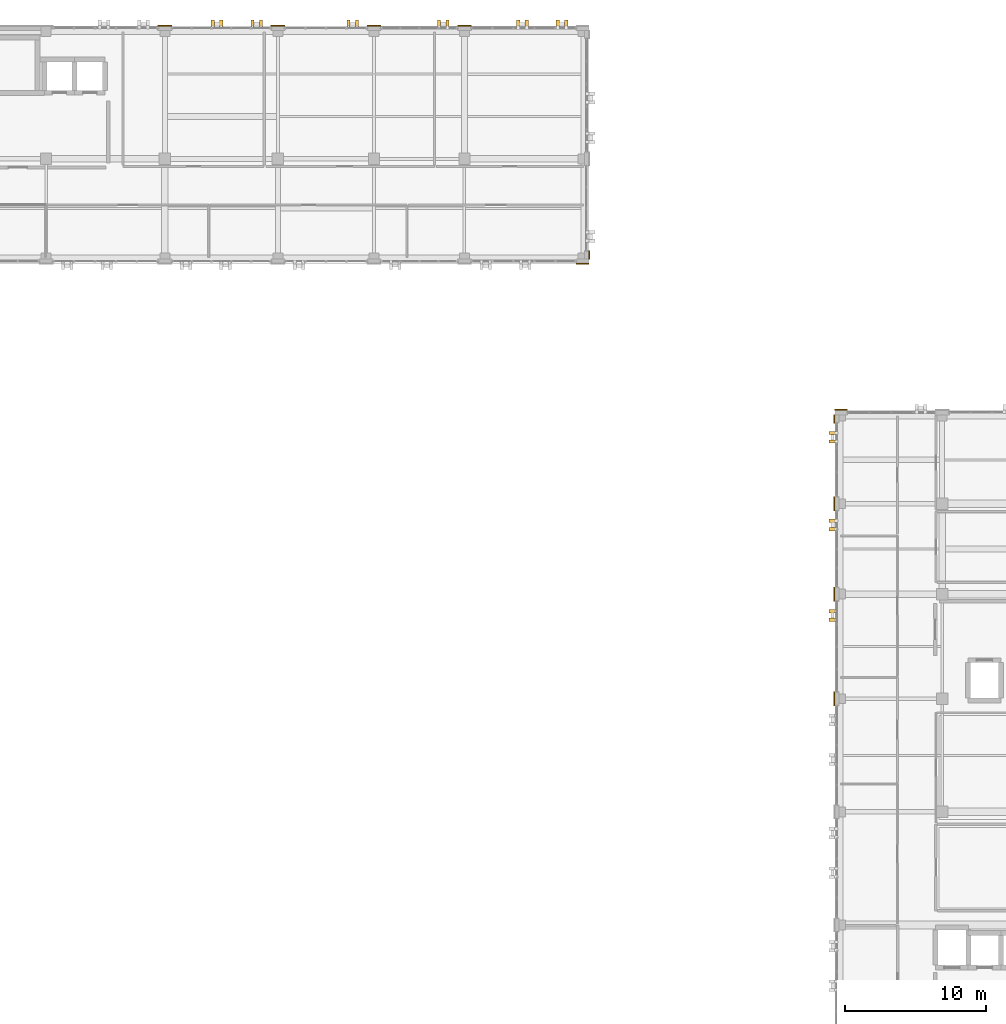
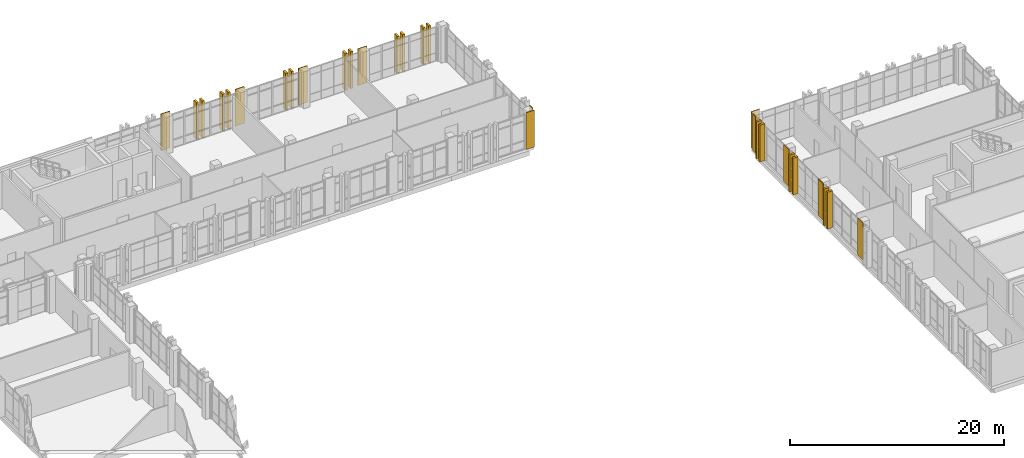
# One storey, part 185 of 193: 29 coverings.
"""IFC4 building model written with IfcOpenShell, lengths in metres."""

from ifc_helpers import new_model, si_unit, direction, frame, origin, origin_2d, place, context, subcontext, project, spatial, rectangle, extrude, material, layer, layer_set, type_object, element, save


model = new_model("IFC4")

# Units and contexts
model_context = context("Model", 3, precision=1e-05, world=origin(), true_north=direction((0.0, 1.0)))
body_context = subcontext(model_context, "Body", "Model", "MODEL_VIEW")
ifc_project = project(units=[si_unit("LENGTHUNIT", "METRE"), si_unit("AREAUNIT", "SQUARE_METRE"), si_unit("VOLUMEUNIT", "CUBIC_METRE"), si_unit("PLANEANGLEUNIT", "RADIAN"), si_unit("MASSUNIT", "GRAM", prefix="KILO")], contexts=[model_context])

# Site, building, storey
site_placement = place(None, origin())
site = spatial("IfcSite", under=ifc_project, at=site_placement, CompositionType="ELEMENT")
building_placement = place(site_placement, origin())
building = spatial("IfcBuilding", under=site, at=building_placement, Name="Qalavern Law Courts", CompositionType="ELEMENT")
storey_placement = place(building_placement, frame((0.0, 0.0, 10.199951171875)))
storey = spatial("IfcBuildingStorey", under=building, at=storey_placement, Name="L02", CompositionType="ELEMENT", Elevation=10.199951171875)

# Coverings
ifc_material = material(Name="Precast concrete C40/50", Category="concrete")
ifc_layer_1 = layer(ifc_material, 0.22998046875)
ifc_layer_set_1 = layer_set([ifc_layer_1], Name="Precast concrete C40/50")
covering_type_1 = type_object("IfcCoveringType", Name="ENV-BLD-2", PredefinedType="CLADDING", material=ifc_layer_set_1)
for number, where, z_axis, x_axis, name in (
    (1, (84.044921875, 84.199951171875, 0.005126953125), (0.0, 0.0, 1.0), (-1.0, 0.0, 0.0), "Absheron stone facade blade 0605"),
    (2, (84.044921875, 83.60009765625, 0.005126953125), (0.0, 0.0, 1.0), (-1.0, 0.0, 0.0), "Absheron stone facade blade 0606"),
    (3, (84.044921875, 78.0, 0.005126953125), (0.0, 0.0, 1.0), (-1.0, 0.0, 0.0), "Absheron stone facade blade 0607"),
    (4, (84.044921875, 77.39990234375, 0.005126953125), (0.0, 0.0, 1.0), (-1.0, 0.0, 0.0), "Absheron stone facade blade 0608"),
    (5, (84.044921875, 71.60009765625, 0.005126953125), (0.0, 0.0, 1.0), (-1.0, 0.0, 0.0), "Absheron stone facade blade 0609"),
    (6, (84.044921875, 71.0, 0.005126953125), (0.0, 0.0, 1.0), (-1.0, 0.0, 0.0), "Absheron stone facade blade 0610"),
    (7, (65.199951171875, 113.155029296875, 0.005126953125), (0.0, 0.0, 1.0), (0.0, 1.0, 0.0), "Absheron stone facade blade 0979"),
    (8, (64.60009765625, 113.155029296875, 0.005126953125), (0.0, 0.0, 1.0), (0.0, 1.0, 0.0), "Absheron stone facade blade 0980"),
    (9, (62.39990234375, 113.155029296875, 0.005126953125), (0.0, 0.0, 1.0), (0.0, 1.0, 0.0), "Absheron stone facade blade 0981"),
    (10, (61.800048828125, 113.155029296875, 0.005126953125), (0.0, 0.0, 1.0), (0.0, 1.0, 0.0), "Absheron stone facade blade 0982"),
    (11, (56.800048828125, 113.155029296875, 0.005126953125), (0.0, 0.0, 1.0), (0.0, 1.0, 0.0), "Absheron stone facade blade 0983"),
    (12, (56.199951171875, 113.155029296875, 0.005126953125), (0.0, 0.0, 1.0), (0.0, 1.0, 0.0), "Absheron stone facade blade 0984"),
    (13, (50.39990234375, 113.155029296875, 0.005126953125), (0.0, 0.0, 1.0), (0.0, 1.0, 0.0), "Absheron stone facade blade 0985"),
    (14, (49.800048828125, 113.155029296875, 0.005126953125), (0.0, 0.0, 1.0), (0.0, 1.0, 0.0), "Absheron stone facade blade 0986"),
    (15, (43.60009765625, 113.155029296875, 0.005126953125), (0.0, 0.0, 1.0), (0.0, 1.0, 0.0), "Absheron stone facade blade 0987"),
    (16, (43.0, 113.155029296875, 0.005126953125), (0.0, 0.0, 1.0), (0.0, 1.0, 0.0), "Absheron stone facade blade 0988"),
    (17, (40.800048828125, 113.155029296875, 0.005126953125), (0.0, 0.0, 1.0), (0.0, 1.0, 0.0), "Absheron stone facade blade 0989"),
    (18, (40.199951171875, 113.155029296875, 0.005126953125), (0.0, 0.0, 1.0), (0.0, 1.0, 0.0), "Absheron stone facade blade 0990"),
):
    element("IfcCovering", number, at=place(storey_placement, frame(where, z_axis=z_axis, x_axis=x_axis)), inside=storey, type_object=covering_type_1, Name=name, PredefinedType="CLADDING", context=body_context, shape_type="SweptSolid", body=[
        extrude(rectangle(XDim=0.5400390625, YDim=0.22998046875, at=origin_2d()), origin(), (0.0, 0.0, 1.0), 4.18994140625),
    ])
ifc_layer_2 = layer(ifc_material, 0.072021484375)
ifc_layer_set_2 = layer_set([ifc_layer_2], Name="Precast concrete C40/50")
covering_type_2 = type_object("IfcCoveringType", Name="ENV-CLD-2", PredefinedType="CLADDING", material=ifc_layer_set_2)
covering_1_placement = place(storey_placement, frame((84.64990234375, 85.8330078125, 0.01025390625), z_axis=(0.0, 0.0, 1.0), x_axis=(-1.0, 0.0, 0.0)))
element("IfcCovering", 19, at=covering_1_placement, inside=storey, type_object=covering_type_2, Name="V4 Absheron limestone pier facing L02 north 3", PredefinedType="CLADDING", context=body_context, shape_type="SweptSolid", body=[
    extrude(rectangle(XDim=0.8798828125, YDim=0.072021484375, at=origin_2d()), origin(), (0.0, 0.0, 1.0), 4.179931640625),
])
covering_2_placement = place(storey_placement, frame((84.1669921875, 85.197509765625, 0.01025390625), z_axis=(0.0, 0.0, 1.0), x_axis=(0.0, -1.0, 0.0)))
element("IfcCovering", 20, at=covering_2_placement, inside=storey, type_object=covering_type_2, Name="V4 Absheron limestone pier facing L02 west 1", PredefinedType="CLADDING", context=body_context, shape_type="SweptSolid", body=[
    extrude(rectangle(XDim=0.574951171875, YDim=0.072021484375, at=origin_2d()), origin(), (0.0, 0.0, 1.0), 4.179931640625),
])
for number, where, z_axis, x_axis, name in (
    (21, (84.1669921875, 79.199951171875, 0.01025390625), (0.0, 0.0, 1.0), (0.0, -1.0, 0.0), "V4 Absheron limestone pier facing L02 west 2"),
    (22, (84.1669921875, 72.800048828125, 0.01025390625), (0.0, 0.0, 1.0), (0.0, -1.0, 0.0), "V4 Absheron limestone pier facing L02 west 3"),
    (23, (84.1669921875, 65.39990234375, 0.01025390625), (0.0, 0.0, 1.0), (0.0, -1.0, 0.0), "V4 Absheron limestone pier facing L02 west 4"),
):
    element("IfcCovering", number, at=place(storey_placement, frame(where, z_axis=z_axis, x_axis=x_axis)), inside=storey, type_object=covering_type_2, Name=name, PredefinedType="CLADDING", context=body_context, shape_type="SweptSolid", body=[
        extrude(rectangle(XDim=0.97998046875, YDim=0.072021484375, at=origin_2d()), origin(), (0.0, 0.0, 1.0), 4.179931640625),
    ])
covering_3_placement = place(storey_placement, frame((66.35009765625, 96.1669921875, 0.01025390625), z_axis=(0.0, 0.0, 1.0), x_axis=(1.0, 0.0, 0.0)))
element("IfcCovering", 24, at=covering_3_placement, inside=storey, type_object=covering_type_2, Name="V5 Absheron limestone pier facing L02 south 7", PredefinedType="CLADDING", context=body_context, shape_type="SweptSolid", body=[
    extrude(rectangle(XDim=0.8798828125, YDim=0.072021484375, at=origin_2d()), origin(), (0.0, 0.0, 1.0), 4.179931640625),
])
covering_4_placement = place(storey_placement, frame((66.8330078125, 96.802490234375, 0.01025390625), z_axis=(0.0, 0.0, 1.0), x_axis=(0.0, 1.0, 0.0)))
element("IfcCovering", 25, at=covering_4_placement, inside=storey, type_object=covering_type_2, Name="V5 Absheron limestone pier facing L02 east 1", PredefinedType="CLADDING", context=body_context, shape_type="SweptSolid", body=[
    extrude(rectangle(XDim=0.574951171875, YDim=0.072021484375, at=origin_2d()), origin(), (0.0, 0.0, 1.0), 4.179931640625),
])
for number, where, z_axis, x_axis, name in (
    (26, (58.0, 113.032958984375, 0.01025390625), (0.0, 0.0, 1.0), (-1.0, 0.0, 0.0), "V5 Absheron limestone pier facing L02 north 2"),
    (27, (51.60009765625, 113.032958984375, 0.01025390625), (0.0, 0.0, 1.0), (-1.0, 0.0, 0.0), "V5 Absheron limestone pier facing L02 north 3"),
    (28, (44.800048828125, 113.032958984375, 0.01025390625), (0.0, 0.0, 1.0), (-1.0, 0.0, 0.0), "V5 Absheron limestone pier facing L02 north 4"),
    (29, (36.800048828125, 113.032958984375, 0.01025390625), (0.0, 0.0, 1.0), (-1.0, 0.0, 0.0), "V5 Absheron limestone pier facing L02 north 5"),
):
    element("IfcCovering", number, at=place(storey_placement, frame(where, z_axis=z_axis, x_axis=x_axis)), inside=storey, type_object=covering_type_2, Name=name, PredefinedType="CLADDING", context=body_context, shape_type="SweptSolid", body=[
        extrude(rectangle(XDim=0.97998046875, YDim=0.072021484375, at=origin_2d()), origin(), (0.0, 0.0, 1.0), 4.179931640625),
    ])

save(model, "model.ifc")
